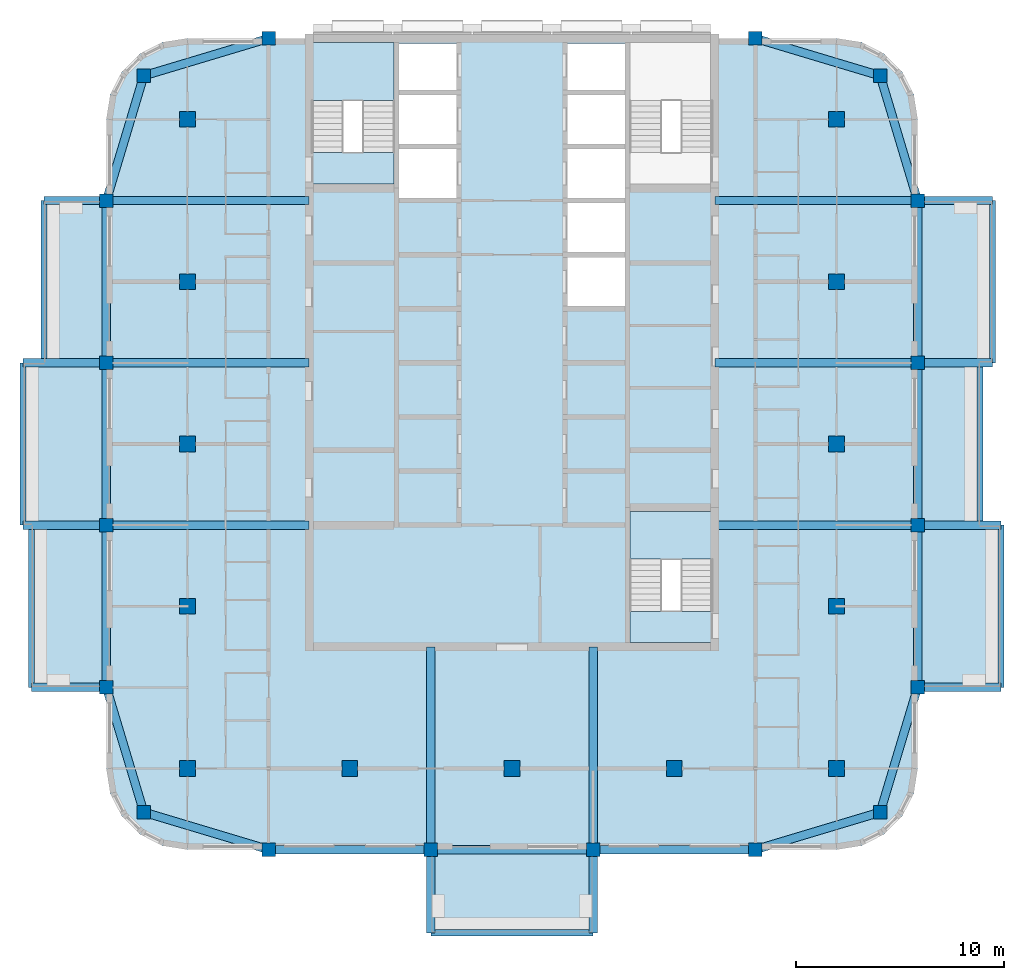
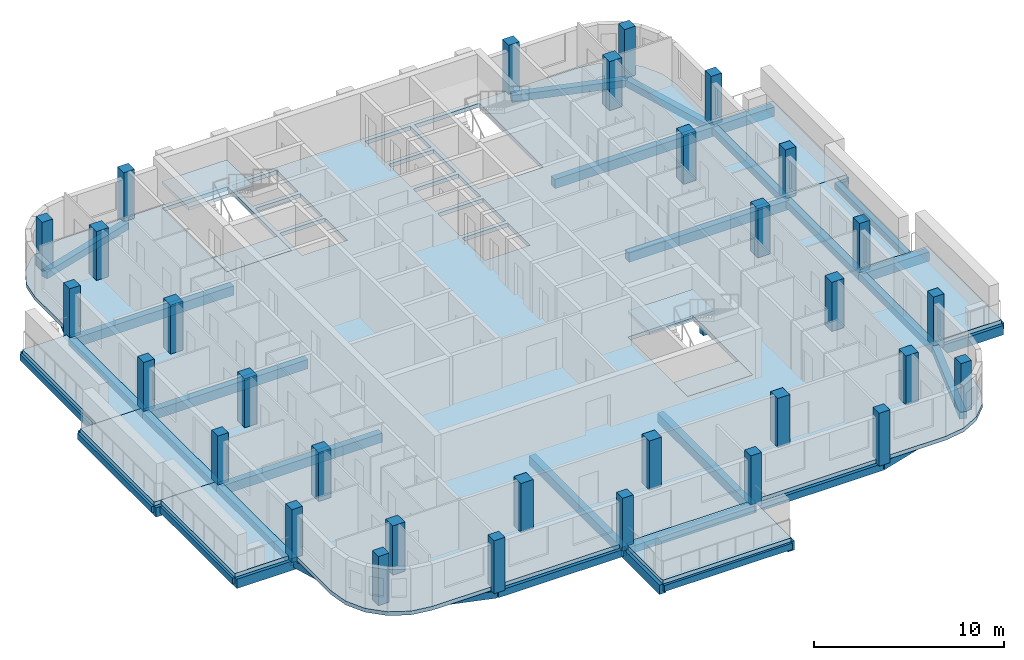
# One storey, part 1 of 13: 42 beams, 31 columns, 12 slabs, 2 elements without a shape of their own.
"""IFC4 building model written with IfcOpenShell, lengths in metres."""

from ifc_helpers import new_model, si_unit, direction, frame, origin, origin_2d, place, context, subcontext, project, spatial, polyline, rectangle, outline, extrude, material, layer, layer_set, material_profile, profile_set, type_object, element, aggregate, save


model = new_model("IFC4")

# Units and contexts
model_context = context("Model", 3, precision=1e-05, world=origin(), true_north=direction((0.0, 1.0)))
body_context = subcontext(model_context, "Body", "Model", "MODEL_VIEW")
ifc_project = project(units=[si_unit("LENGTHUNIT", "METRE"), si_unit("AREAUNIT", "SQUARE_METRE"), si_unit("VOLUMEUNIT", "CUBIC_METRE"), si_unit("PLANEANGLEUNIT", "RADIAN"), si_unit("MASSUNIT", "GRAM", prefix="KILO")], contexts=[model_context])

# Site, building, storey
site_placement = place(None, origin())
site = spatial("IfcSite", under=ifc_project, at=site_placement, CompositionType="ELEMENT")
building_placement = place(site_placement, origin())
building = spatial("IfcBuilding", under=site, at=building_placement, Name="Ludao Terraces", CompositionType="ELEMENT")
storey_placement = place(building_placement, frame((0.0, 0.0, 249.39990234375)))
storey = spatial("IfcBuildingStorey", under=building, at=storey_placement, Name="L68", CompositionType="ELEMENT", Elevation=249.39990234375)

# Columns
ifc_material = material(Name="Concrete C40", Category="concrete")
ifc_material_profile_1 = material_profile(ifc_material, rectangle(XDim=0.64990234375, YDim=0.64990234375, at=origin_2d()), Name="650 X 650")
ifc_profile_set_1 = profile_set([ifc_material_profile_1], Name="Concrete C40")
column_type_1 = type_object("IfcColumnType", Name="RC column 650x650 C40", PredefinedType="COLUMN", material=ifc_profile_set_1)
for number, where, z_axis, x_axis, name in (
    (1, (67.300048828125, 47.300048828125, -0.25), (0.0, 0.0, 1.0), (1.0, 0.0, 0.0), "Column L68 C0057x0057"),
    (2, (102.699951171875, 47.300048828125, -0.25), (0.0, 0.0, 1.0), (1.0, 0.0, 0.0), "Column L68 C0411x0057"),
    (3, (67.300048828125, 82.699951171875, -0.25), (0.0, 0.0, 1.0), (1.0, 0.0, 0.0), "Column L68 C0057x0411"),
    (4, (102.699951171875, 82.699951171875, -0.25), (0.0, 0.0, 1.0), (1.0, 0.0, 0.0), "Column L68 C0411x0411"),
    (5, (65.5, 53.300048828125, -0.25), (0.0, 0.0, 1.0), (1.0, 0.0, 0.0), "Column L68 W0039x0117"),
    (6, (104.5, 53.300048828125, -0.25), (0.0, 0.0, 1.0), (1.0, 0.0, 0.0), "Column L68 W0429x0117"),
    (7, (73.300048828125, 45.5, -0.25), (0.0, 0.0, 1.0), (1.0, 0.0, 0.0), "Column L68 W0117x0039"),
    (8, (73.300048828125, 84.5, -0.25), (0.0, 0.0, 1.0), (1.0, 0.0, 0.0), "Column L68 W0117x0429"),
    (9, (65.5, 61.10009765625, -0.25), (0.0, 0.0, 1.0), (1.0, 0.0, 0.0), "Column L68 W0039x0195"),
    (10, (104.5, 61.10009765625, -0.25), (0.0, 0.0, 1.0), (1.0, 0.0, 0.0), "Column L68 W0429x0195"),
    (11, (81.10009765625, 45.5, -0.25), (0.0, 0.0, 1.0), (1.0, 0.0, 0.0), "Column L68 W0195x0039"),
    (12, (65.5, 68.89990234375, -0.25), (0.0, 0.0, 1.0), (1.0, 0.0, 0.0), "Column L68 W0039x0273"),
    (13, (104.5, 68.89990234375, -0.25), (0.0, 0.0, 1.0), (1.0, 0.0, 0.0), "Column L68 W0429x0273"),
    (14, (88.89990234375, 45.5, -0.25), (0.0, 0.0, 1.0), (1.0, 0.0, 0.0), "Column L68 W0273x0039"),
    (15, (65.5, 76.699951171875, -0.25), (0.0, 0.0, 1.0), (1.0, 0.0, 0.0), "Column L68 W0039x0351"),
    (16, (104.5, 76.699951171875, -0.25), (0.0, 0.0, 1.0), (1.0, 0.0, 0.0), "Column L68 W0429x0351"),
    (17, (96.699951171875, 45.5, -0.25), (0.0, 0.0, 1.0), (1.0, 0.0, 0.0), "Column L68 W0351x0039"),
    (18, (96.699951171875, 84.5, -0.25), (0.0, 0.0, 1.0), (1.0, 0.0, 0.0), "Column L68 W0351x0429"),
):
    element("IfcColumn", number, at=place(storey_placement, frame(where, z_axis=z_axis, x_axis=x_axis)), inside=storey, type_object=column_type_1, Name=name, PredefinedType="COLUMN", context=body_context, shape_type="SweptSolid", body=[
        extrude(rectangle(XDim=0.64990234375, YDim=0.64990234375, at=origin_2d()), origin(), (0.0, 0.0, 1.0), 3.400146484375),
    ])
ifc_material_profile_2 = material_profile(ifc_material, rectangle(XDim=0.75, YDim=0.75, at=origin_2d()), Name="750 X 750")
ifc_profile_set_2 = profile_set([ifc_material_profile_2], Name="Concrete C40")
column_type_2 = type_object("IfcColumnType", Name="RC column 750x750 C40", PredefinedType="COLUMN", material=ifc_profile_set_2)
for number, where, z_axis, x_axis, name in (
    (19, (69.39990234375, 49.39990234375, -0.25), (0.0, 0.0, 1.0), (1.0, 0.0, 0.0), "Column L68 S0078x0078"),
    (20, (69.39990234375, 57.199951171875, -0.25), (0.0, 0.0, 1.0), (1.0, 0.0, 0.0), "Column L68 S0078x0156"),
    (21, (69.39990234375, 65.0, -0.25), (0.0, 0.0, 1.0), (1.0, 0.0, 0.0), "Column L68 S0078x0234"),
    (22, (69.39990234375, 72.800048828125, -0.25), (0.0, 0.0, 1.0), (1.0, 0.0, 0.0), "Column L68 S0078x0312"),
    (23, (69.39990234375, 80.60009765625, -0.25), (0.0, 0.0, 1.0), (1.0, 0.0, 0.0), "Column L68 S0078x0390"),
    (24, (77.199951171875, 49.39990234375, -0.25), (0.0, 0.0, 1.0), (1.0, 0.0, 0.0), "Column L68 S0156x0078"),
    (25, (85.0, 49.39990234375, -0.25), (0.0, 0.0, 1.0), (1.0, 0.0, 0.0), "Column L68 S0234x0078"),
    (26, (92.800048828125, 49.39990234375, -0.25), (0.0, 0.0, 1.0), (1.0, 0.0, 0.0), "Column L68 S0312x0078"),
    (27, (100.60009765625, 49.39990234375, -0.25), (0.0, 0.0, 1.0), (1.0, 0.0, 0.0), "Column L68 S0390x0078"),
    (28, (100.60009765625, 57.199951171875, -0.25), (0.0, 0.0, 1.0), (1.0, 0.0, 0.0), "Column L68 S0390x0156"),
    (29, (100.60009765625, 65.0, -0.25), (0.0, 0.0, 1.0), (1.0, 0.0, 0.0), "Column L68 S0390x0234"),
    (30, (100.60009765625, 72.800048828125, -0.25), (0.0, 0.0, 1.0), (1.0, 0.0, 0.0), "Column L68 S0390x0312"),
    (31, (100.60009765625, 80.60009765625, -0.25), (0.0, 0.0, 1.0), (1.0, 0.0, 0.0), "Column L68 S0390x0390"),
):
    element("IfcColumn", number, at=place(storey_placement, frame(where, z_axis=z_axis, x_axis=x_axis)), inside=storey, type_object=column_type_2, Name=name, PredefinedType="COLUMN", context=body_context, shape_type="SweptSolid", body=[
        extrude(rectangle(XDim=0.75, YDim=0.75, at=origin_2d()), origin(), (0.0, 0.0, 1.0), 3.400146484375),
    ])

# Beams
ifc_material_profile_3 = material_profile(ifc_material, rectangle(XDim=0.300048828125, YDim=0.39990234375, at=origin_2d()), Name="300 X 400")
ifc_profile_set_3 = profile_set([ifc_material_profile_3], Name="Concrete C40")
beam_type_1 = type_object("IfcBeamType", Name="RC beam 300x400 C40", PredefinedType="BEAM", material=ifc_profile_set_3)
beam_1_placement = place(storey_placement, frame((81.10009765625, 41.5, -0.449951171875), z_axis=(1.0, 0.0, 0.0), x_axis=(0.0, 1.0, 0.0)))
element("IfcBeam", 32, at=beam_1_placement, inside=storey, type_object=beam_type_1, Name="Balcony edge beam L68 S1", PredefinedType="BEAM", context=body_context, shape_type="SweptSolid", body=[
    extrude(rectangle(XDim=0.300048828125, YDim=0.39990234375, at=origin_2d()), origin(), (0.0, 0.0, 1.0), 7.7998046875),
])
beam_2_placement = place(storey_placement, frame((108.5, 53.300048828125, -0.449951171875), z_axis=(0.0, 1.0, 0.0), x_axis=(-1.0, 0.0, 0.0)))
element("IfcBeam", 33, at=beam_2_placement, inside=storey, type_object=beam_type_1, Name="Balcony edge beam L68 E1", PredefinedType="BEAM", context=body_context, shape_type="SweptSolid", body=[
    extrude(rectangle(XDim=0.300048828125, YDim=0.39990234375, at=origin_2d()), origin(), (0.0, 0.0, 1.0), 7.800048828125),
])
beam_3_placement = place(storey_placement, frame((107.5, 61.10009765625, -0.449951171875), z_axis=(0.0, 1.0, 0.0), x_axis=(-1.0, 0.0, 0.0)))
element("IfcBeam", 34, at=beam_3_placement, inside=storey, type_object=beam_type_1, Name="Balcony edge beam L68 E2", PredefinedType="BEAM", context=body_context, shape_type="SweptSolid", body=[
    extrude(rectangle(XDim=0.300048828125, YDim=0.39990234375, at=origin_2d()), origin(), (0.0, 0.0, 1.0), 7.7998046875),
])
for number, where, z_axis, x_axis, name in (
    (35, (108.10009765625, 68.89990234375, -0.449951171875), (0.0, 1.0, 0.0), (-1.0, 0.0, 0.0), "Balcony edge beam L68 E3"),
    (36, (61.89990234375, 53.300048828125, -0.449951171875), (0.0, 1.0, 0.0), (-1.0, 0.0, 0.0), "Balcony edge beam L68 W1"),
):
    element("IfcBeam", number, at=place(storey_placement, frame(where, z_axis=z_axis, x_axis=x_axis)), inside=storey, type_object=beam_type_1, Name=name, PredefinedType="BEAM", context=body_context, shape_type="SweptSolid", body=[
        extrude(rectangle(XDim=0.300048828125, YDim=0.39990234375, at=origin_2d()), origin(), (0.0, 0.0, 1.0), 7.800048828125),
    ])
beam_4_placement = place(storey_placement, frame((61.5, 61.10009765625, -0.449951171875), z_axis=(0.0, 1.0, 0.0), x_axis=(-1.0, 0.0, 0.0)))
element("IfcBeam", 37, at=beam_4_placement, inside=storey, type_object=beam_type_1, Name="Balcony edge beam L68 W2", PredefinedType="BEAM", context=body_context, shape_type="SweptSolid", body=[
    extrude(rectangle(XDim=0.300048828125, YDim=0.39990234375, at=origin_2d()), origin(), (0.0, 0.0, 1.0), 7.7998046875),
])
beam_5_placement = place(storey_placement, frame((62.5, 68.89990234375, -0.449951171875), z_axis=(0.0, 1.0, 0.0), x_axis=(-1.0, 0.0, 0.0)))
element("IfcBeam", 38, at=beam_5_placement, inside=storey, type_object=beam_type_1, Name="Balcony edge beam L68 W3", PredefinedType="BEAM", context=body_context, shape_type="SweptSolid", body=[
    extrude(rectangle(XDim=0.300048828125, YDim=0.39990234375, at=origin_2d()), origin(), (0.0, 0.0, 1.0), 7.800048828125),
])
ifc_material_profile_4 = material_profile(ifc_material, rectangle(XDim=0.39990234375, YDim=0.449951171875, at=origin_2d()), Name="400 X 450")
ifc_profile_set_4 = profile_set([ifc_material_profile_4], Name="Concrete C40")
beam_type_2 = type_object("IfcBeamType", Name="RC beam 400x450 C40", PredefinedType="BEAM", material=ifc_profile_set_4)
beam_6_placement = place(storey_placement, frame((67.300048828125, 47.300048828125, -0.474853515625), z_axis=(0.957824139839, -0.287355036744, 0.0), x_axis=(0.287355036744, 0.957824139839, 0.0)))
element("IfcBeam", 39, at=beam_6_placement, inside=storey, type_object=beam_type_2, Name="Spandrel beam L68 S1", PredefinedType="BEAM", context=body_context, shape_type="SweptSolid", body=[
    extrude(rectangle(XDim=0.39990234375, YDim=0.449951171875, at=origin_2d()), origin(), (0.0, 0.0, 1.0), 6.26416015625),
])
beam_7_placement = place(storey_placement, frame((73.300048828125, 45.5, -0.474853515625), z_axis=(1.0, 0.0, 0.0), x_axis=(0.0, 1.0, 0.0)))
element("IfcBeam", 40, at=beam_7_placement, inside=storey, type_object=beam_type_2, Name="Spandrel beam L68 S2", PredefinedType="BEAM", context=body_context, shape_type="SweptSolid", body=[
    extrude(rectangle(XDim=0.39990234375, YDim=0.449951171875, at=origin_2d()), origin(), (0.0, 0.0, 1.0), 7.800048828125),
])
beam_8_placement = place(storey_placement, frame((81.10009765625, 45.5, -0.474853515625), z_axis=(1.0, 0.0, 0.0), x_axis=(0.0, 1.0, 0.0)))
element("IfcBeam", 41, at=beam_8_placement, inside=storey, type_object=beam_type_2, Name="Spandrel beam L68 S3", PredefinedType="BEAM", context=body_context, shape_type="SweptSolid", body=[
    extrude(rectangle(XDim=0.39990234375, YDim=0.449951171875, at=origin_2d()), origin(), (0.0, 0.0, 1.0), 7.7998046875),
])
beam_9_placement = place(storey_placement, frame((88.89990234375, 45.5, -0.474853515625), z_axis=(1.0, 0.0, 0.0), x_axis=(0.0, 1.0, 0.0)))
element("IfcBeam", 42, at=beam_9_placement, inside=storey, type_object=beam_type_2, Name="Spandrel beam L68 S4", PredefinedType="BEAM", context=body_context, shape_type="SweptSolid", body=[
    extrude(rectangle(XDim=0.39990234375, YDim=0.449951171875, at=origin_2d()), origin(), (0.0, 0.0, 1.0), 7.800048828125),
])
for number, where, z_axis, x_axis, name in (
    (43, (96.699951171875, 45.5, -0.474853515625), (0.957824139839, 0.287355036744, 0.0), (-0.287355036744, 0.957824139839, 0.0), "Spandrel beam L68 S5"),
    (44, (67.300048828125, 82.699951171875, -0.474853515625), (0.957824139839, 0.287355036744, 0.0), (-0.287355036744, 0.957824139839, 0.0), "Spandrel beam L68 N6"),
    (45, (96.699951171875, 84.5, -0.474853515625), (0.957824139839, -0.287355036744, 0.0), (0.287355036744, 0.957824139839, 0.0), "Spandrel beam L68 N7"),
    (46, (67.300048828125, 47.300048828125, -0.474853515625), (-0.287355036744, 0.957824139839, 0.0), (-0.957824139839, -0.287355036744, 0.0), "Spandrel beam L68 W8"),
):
    element("IfcBeam", number, at=place(storey_placement, frame(where, z_axis=z_axis, x_axis=x_axis)), inside=storey, type_object=beam_type_2, Name=name, PredefinedType="BEAM", context=body_context, shape_type="SweptSolid", body=[
        extrude(rectangle(XDim=0.39990234375, YDim=0.449951171875, at=origin_2d()), origin(), (0.0, 0.0, 1.0), 6.26416015625),
    ])
beam_10_placement = place(storey_placement, frame((65.5, 53.300048828125, -0.474853515625), z_axis=(0.0, 1.0, 0.0), x_axis=(-1.0, 0.0, 0.0)))
element("IfcBeam", 47, at=beam_10_placement, inside=storey, type_object=beam_type_2, Name="Spandrel beam L68 W9", PredefinedType="BEAM", context=body_context, shape_type="SweptSolid", body=[
    extrude(rectangle(XDim=0.39990234375, YDim=0.449951171875, at=origin_2d()), origin(), (0.0, 0.0, 1.0), 7.800048828125),
])
beam_11_placement = place(storey_placement, frame((65.5, 61.10009765625, -0.474853515625), z_axis=(0.0, 1.0, 0.0), x_axis=(-1.0, 0.0, 0.0)))
element("IfcBeam", 48, at=beam_11_placement, inside=storey, type_object=beam_type_2, Name="Spandrel beam L68 W10", PredefinedType="BEAM", context=body_context, shape_type="SweptSolid", body=[
    extrude(rectangle(XDim=0.39990234375, YDim=0.449951171875, at=origin_2d()), origin(), (0.0, 0.0, 1.0), 7.7998046875),
])
beam_12_placement = place(storey_placement, frame((65.5, 68.89990234375, -0.474853515625), z_axis=(0.0, 1.0, 0.0), x_axis=(-1.0, 0.0, 0.0)))
element("IfcBeam", 49, at=beam_12_placement, inside=storey, type_object=beam_type_2, Name="Spandrel beam L68 W11", PredefinedType="BEAM", context=body_context, shape_type="SweptSolid", body=[
    extrude(rectangle(XDim=0.39990234375, YDim=0.449951171875, at=origin_2d()), origin(), (0.0, 0.0, 1.0), 7.800048828125),
])
for number, where, z_axis, x_axis, name in (
    (50, (65.5, 76.699951171875, -0.474853515625), (0.287355036744, 0.957824139839, 0.0), (-0.957824139839, 0.287355036744, 0.0), "Spandrel beam L68 W12"),
    (51, (102.699951171875, 47.300048828125, -0.474853515625), (0.287355036744, 0.957824139839, 0.0), (-0.957824139839, 0.287355036744, 0.0), "Spandrel beam L68 E13"),
):
    element("IfcBeam", number, at=place(storey_placement, frame(where, z_axis=z_axis, x_axis=x_axis)), inside=storey, type_object=beam_type_2, Name=name, PredefinedType="BEAM", context=body_context, shape_type="SweptSolid", body=[
        extrude(rectangle(XDim=0.39990234375, YDim=0.449951171875, at=origin_2d()), origin(), (0.0, 0.0, 1.0), 6.26416015625),
    ])
beam_13_placement = place(storey_placement, frame((104.5, 53.300048828125, -0.474853515625), z_axis=(0.0, 1.0, 0.0), x_axis=(-1.0, 0.0, 0.0)))
element("IfcBeam", 52, at=beam_13_placement, inside=storey, type_object=beam_type_2, Name="Spandrel beam L68 E14", PredefinedType="BEAM", context=body_context, shape_type="SweptSolid", body=[
    extrude(rectangle(XDim=0.39990234375, YDim=0.449951171875, at=origin_2d()), origin(), (0.0, 0.0, 1.0), 7.800048828125),
])
beam_14_placement = place(storey_placement, frame((104.5, 61.10009765625, -0.474853515625), z_axis=(0.0, 1.0, 0.0), x_axis=(-1.0, 0.0, 0.0)))
element("IfcBeam", 53, at=beam_14_placement, inside=storey, type_object=beam_type_2, Name="Spandrel beam L68 E15", PredefinedType="BEAM", context=body_context, shape_type="SweptSolid", body=[
    extrude(rectangle(XDim=0.39990234375, YDim=0.449951171875, at=origin_2d()), origin(), (0.0, 0.0, 1.0), 7.7998046875),
])
beam_15_placement = place(storey_placement, frame((104.5, 68.89990234375, -0.474853515625), z_axis=(0.0, 1.0, 0.0), x_axis=(-1.0, 0.0, 0.0)))
element("IfcBeam", 54, at=beam_15_placement, inside=storey, type_object=beam_type_2, Name="Spandrel beam L68 E16", PredefinedType="BEAM", context=body_context, shape_type="SweptSolid", body=[
    extrude(rectangle(XDim=0.39990234375, YDim=0.449951171875, at=origin_2d()), origin(), (0.0, 0.0, 1.0), 7.800048828125),
])
beam_16_placement = place(storey_placement, frame((104.5, 76.699951171875, -0.474853515625), z_axis=(-0.287355036744, 0.957824139839, 0.0), x_axis=(-0.957824139839, -0.287355036744, 0.0)))
element("IfcBeam", 55, at=beam_16_placement, inside=storey, type_object=beam_type_2, Name="Spandrel beam L68 E17", PredefinedType="BEAM", context=body_context, shape_type="SweptSolid", body=[
    extrude(rectangle(XDim=0.39990234375, YDim=0.449951171875, at=origin_2d()), origin(), (0.0, 0.0, 1.0), 6.26416015625),
])
ifc_material_profile_5 = material_profile(ifc_material, rectangle(XDim=0.39990234375, YDim=0.60009765625, at=origin_2d()), Name="400 X 600")
ifc_profile_set_5 = profile_set([ifc_material_profile_5], Name="Concrete C40")
beam_type_3 = type_object("IfcBeamType", Name="RC beam 400x600 C40", PredefinedType="BEAM", material=ifc_profile_set_5)
beam_17_placement = place(storey_placement, frame((104.5, 53.300048828125, -0.5498046875), z_axis=(1.0, 0.0, 0.0), x_axis=(0.0, 1.0, 0.0)))
element("IfcBeam", 56, at=beam_17_placement, inside=storey, type_object=beam_type_3, Name="Balcony beam L68 E533", PredefinedType="BEAM", context=body_context, shape_type="SweptSolid", body=[
    extrude(rectangle(XDim=0.39990234375, YDim=0.60009765625, at=origin_2d()), origin(), (0.0, 0.0, 1.0), 4.0),
])
beam_18_placement = place(storey_placement, frame((94.75, 61.10009765625, -0.5498046875), z_axis=(1.0, 0.0, 0.0), x_axis=(0.0, 1.0, 0.0)))
element("IfcBeam", 57, at=beam_18_placement, inside=storey, type_object=beam_type_3, Name="Balcony beam L68 E611", PredefinedType="BEAM", context=body_context, shape_type="SweptSolid", body=[
    extrude(rectangle(XDim=0.39990234375, YDim=0.60009765625, at=origin_2d()), origin(), (0.0, 0.0, 1.0), 9.75),
])
beam_19_placement = place(storey_placement, frame((104.5, 61.10009765625, -0.5498046875), z_axis=(1.0, 0.0, 0.0), x_axis=(0.0, 1.0, 0.0)))
element("IfcBeam", 58, at=beam_19_placement, inside=storey, type_object=beam_type_3, Name="Balcony beam L68 E611", PredefinedType="BEAM", context=body_context, shape_type="SweptSolid", body=[
    extrude(rectangle(XDim=0.39990234375, YDim=0.60009765625, at=origin_2d()), origin(), (0.0, 0.0, 1.0), 4.0),
])
beam_20_placement = place(storey_placement, frame((94.75, 68.89990234375, -0.5498046875), z_axis=(1.0, 0.0, 0.0), x_axis=(0.0, 1.0, 0.0)))
element("IfcBeam", 59, at=beam_20_placement, inside=storey, type_object=beam_type_3, Name="Balcony beam L68 E689", PredefinedType="BEAM", context=body_context, shape_type="SweptSolid", body=[
    extrude(rectangle(XDim=0.39990234375, YDim=0.60009765625, at=origin_2d()), origin(), (0.0, 0.0, 1.0), 9.75),
])
beam_21_placement = place(storey_placement, frame((104.5, 68.89990234375, -0.5498046875), z_axis=(1.0, 0.0, 0.0), x_axis=(0.0, 1.0, 0.0)))
element("IfcBeam", 60, at=beam_21_placement, inside=storey, type_object=beam_type_3, Name="Balcony beam L68 E689", PredefinedType="BEAM", context=body_context, shape_type="SweptSolid", body=[
    extrude(rectangle(XDim=0.39990234375, YDim=0.60009765625, at=origin_2d()), origin(), (0.0, 0.0, 1.0), 3.60009765625),
])
beam_22_placement = place(storey_placement, frame((94.75, 76.699951171875, -0.5498046875), z_axis=(1.0, 0.0, 0.0), x_axis=(0.0, 1.0, 0.0)))
element("IfcBeam", 61, at=beam_22_placement, inside=storey, type_object=beam_type_3, Name="Balcony beam L68 E767", PredefinedType="BEAM", context=body_context, shape_type="SweptSolid", body=[
    extrude(rectangle(XDim=0.39990234375, YDim=0.60009765625, at=origin_2d()), origin(), (0.0, 0.0, 1.0), 9.75),
])
beam_23_placement = place(storey_placement, frame((104.5, 76.699951171875, -0.5498046875), z_axis=(1.0, 0.0, 0.0), x_axis=(0.0, 1.0, 0.0)))
element("IfcBeam", 62, at=beam_23_placement, inside=storey, type_object=beam_type_3, Name="Balcony beam L68 E767", PredefinedType="BEAM", context=body_context, shape_type="SweptSolid", body=[
    extrude(rectangle(XDim=0.39990234375, YDim=0.60009765625, at=origin_2d()), origin(), (0.0, 0.0, 1.0), 3.60009765625),
])
beam_24_placement = place(storey_placement, frame((81.10009765625, 55.25, -0.5498046875), z_axis=(0.0, -1.0, 0.0), x_axis=(1.0, 0.0, 0.0)))
element("IfcBeam", 63, at=beam_24_placement, inside=storey, type_object=beam_type_3, Name="Balcony beam L68 S811", PredefinedType="BEAM", context=body_context, shape_type="SweptSolid", body=[
    extrude(rectangle(XDim=0.39990234375, YDim=0.60009765625, at=origin_2d()), origin(), (0.0, 0.0, 1.0), 9.75),
])
beam_25_placement = place(storey_placement, frame((81.10009765625, 45.5, -0.5498046875), z_axis=(0.0, -1.0, 0.0), x_axis=(1.0, 0.0, 0.0)))
element("IfcBeam", 64, at=beam_25_placement, inside=storey, type_object=beam_type_3, Name="Balcony beam L68 S811", PredefinedType="BEAM", context=body_context, shape_type="SweptSolid", body=[
    extrude(rectangle(XDim=0.39990234375, YDim=0.60009765625, at=origin_2d()), origin(), (0.0, 0.0, 1.0), 4.0),
])
beam_26_placement = place(storey_placement, frame((88.89990234375, 55.25, -0.5498046875), z_axis=(0.0, -1.0, 0.0), x_axis=(1.0, 0.0, 0.0)))
element("IfcBeam", 65, at=beam_26_placement, inside=storey, type_object=beam_type_3, Name="Balcony beam L68 S889", PredefinedType="BEAM", context=body_context, shape_type="SweptSolid", body=[
    extrude(rectangle(XDim=0.39990234375, YDim=0.60009765625, at=origin_2d()), origin(), (0.0, 0.0, 1.0), 9.75),
])
beam_27_placement = place(storey_placement, frame((88.89990234375, 45.5, -0.5498046875), z_axis=(0.0, -1.0, 0.0), x_axis=(1.0, 0.0, 0.0)))
element("IfcBeam", 66, at=beam_27_placement, inside=storey, type_object=beam_type_3, Name="Balcony beam L68 S889", PredefinedType="BEAM", context=body_context, shape_type="SweptSolid", body=[
    extrude(rectangle(XDim=0.39990234375, YDim=0.60009765625, at=origin_2d()), origin(), (0.0, 0.0, 1.0), 4.0),
])
beam_28_placement = place(storey_placement, frame((65.5, 53.300048828125, -0.5498046875), z_axis=(-1.0, 0.0, 0.0), x_axis=(0.0, -1.0, 0.0)))
element("IfcBeam", 67, at=beam_28_placement, inside=storey, type_object=beam_type_3, Name="Balcony beam L68 W533", PredefinedType="BEAM", context=body_context, shape_type="SweptSolid", body=[
    extrude(rectangle(XDim=0.39990234375, YDim=0.60009765625, at=origin_2d()), origin(), (0.0, 0.0, 1.0), 3.60009765625),
])
beam_29_placement = place(storey_placement, frame((75.25, 61.10009765625, -0.5498046875), z_axis=(-1.0, 0.0, 0.0), x_axis=(0.0, -1.0, 0.0)))
element("IfcBeam", 68, at=beam_29_placement, inside=storey, type_object=beam_type_3, Name="Balcony beam L68 W611", PredefinedType="BEAM", context=body_context, shape_type="SweptSolid", body=[
    extrude(rectangle(XDim=0.39990234375, YDim=0.60009765625, at=origin_2d()), origin(), (0.0, 0.0, 1.0), 9.75),
])
beam_30_placement = place(storey_placement, frame((65.5, 61.10009765625, -0.5498046875), z_axis=(-1.0, 0.0, 0.0), x_axis=(0.0, -1.0, 0.0)))
element("IfcBeam", 69, at=beam_30_placement, inside=storey, type_object=beam_type_3, Name="Balcony beam L68 W611", PredefinedType="BEAM", context=body_context, shape_type="SweptSolid", body=[
    extrude(rectangle(XDim=0.39990234375, YDim=0.60009765625, at=origin_2d()), origin(), (0.0, 0.0, 1.0), 4.0),
])
beam_31_placement = place(storey_placement, frame((75.25, 68.89990234375, -0.5498046875), z_axis=(-1.0, 0.0, 0.0), x_axis=(0.0, -1.0, 0.0)))
element("IfcBeam", 70, at=beam_31_placement, inside=storey, type_object=beam_type_3, Name="Balcony beam L68 W689", PredefinedType="BEAM", context=body_context, shape_type="SweptSolid", body=[
    extrude(rectangle(XDim=0.39990234375, YDim=0.60009765625, at=origin_2d()), origin(), (0.0, 0.0, 1.0), 9.75),
])
beam_32_placement = place(storey_placement, frame((65.5, 68.89990234375, -0.5498046875), z_axis=(-1.0, 0.0, 0.0), x_axis=(0.0, -1.0, 0.0)))
element("IfcBeam", 71, at=beam_32_placement, inside=storey, type_object=beam_type_3, Name="Balcony beam L68 W689", PredefinedType="BEAM", context=body_context, shape_type="SweptSolid", body=[
    extrude(rectangle(XDim=0.39990234375, YDim=0.60009765625, at=origin_2d()), origin(), (0.0, 0.0, 1.0), 4.0),
])
beam_33_placement = place(storey_placement, frame((75.25, 76.699951171875, -0.5498046875), z_axis=(-1.0, 0.0, 0.0), x_axis=(0.0, -1.0, 0.0)))
element("IfcBeam", 72, at=beam_33_placement, inside=storey, type_object=beam_type_3, Name="Balcony beam L68 W767", PredefinedType="BEAM", context=body_context, shape_type="SweptSolid", body=[
    extrude(rectangle(XDim=0.39990234375, YDim=0.60009765625, at=origin_2d()), origin(), (0.0, 0.0, 1.0), 9.75),
])
beam_34_placement = place(storey_placement, frame((65.5, 76.699951171875, -0.5498046875), z_axis=(-1.0, 0.0, 0.0), x_axis=(0.0, -1.0, 0.0)))
element("IfcBeam", 73, at=beam_34_placement, inside=storey, type_object=beam_type_3, Name="Balcony beam L68 W767", PredefinedType="BEAM", context=body_context, shape_type="SweptSolid", body=[
    extrude(rectangle(XDim=0.39990234375, YDim=0.60009765625, at=origin_2d()), origin(), (0.0, 0.0, 1.0), 3.0),
])

# Slabs
ifc_layer_1 = layer(ifc_material, 0.25)
ifc_layer_set_1 = layer_set([ifc_layer_1], Name="Balcony slab 250 C40")
slab_type_1 = type_object("IfcSlabType", Name="Balcony slab 250 C40", PredefinedType="USERDEFINED", material=ifc_layer_set_1)
slab_1_placement = place(storey_placement, frame((0.0, 0.0, -0.25)))
element("IfcSlab", 74, at=slab_1_placement, inside=storey, type_object=slab_type_1, Name="Balcony L68 S1", ObjectType="BALCONY", PredefinedType="USERDEFINED", context=body_context, shape_type="SweptSolid", body=[
    extrude(outline(polyline([(81.10009765625, 41.5), (88.89990234375, 41.5), (88.89990234375, 45.5), (81.10009765625, 45.5), (81.10009765625, 41.5)])), origin(), (0.0, 0.0, 1.0), 0.25),
])
slab_2_placement = place(storey_placement, frame((0.0, 0.0, -0.25)))
element("IfcSlab", 75, at=slab_2_placement, inside=storey, type_object=slab_type_1, Name="Balcony L68 E1", ObjectType="BALCONY", PredefinedType="USERDEFINED", context=body_context, shape_type="SweptSolid", body=[
    extrude(outline(polyline([(104.5, 53.300048828125), (108.5, 53.300048828125), (108.5, 61.10009765625), (104.5, 61.10009765625), (104.5, 53.300048828125)])), origin(), (0.0, 0.0, 1.0), 0.25),
])
slab_3_placement = place(storey_placement, frame((0.0, 0.0, -0.25)))
element("IfcSlab", 76, at=slab_3_placement, inside=storey, type_object=slab_type_1, Name="Balcony L68 E2", ObjectType="BALCONY", PredefinedType="USERDEFINED", context=body_context, shape_type="SweptSolid", body=[
    extrude(outline(polyline([(104.5, 61.10009765625), (107.5, 61.10009765625), (107.5, 68.89990234375), (104.5, 68.89990234375), (104.5, 61.10009765625)])), origin(), (0.0, 0.0, 1.0), 0.25),
])
slab_4_placement = place(storey_placement, frame((0.0, 0.0, -0.25)))
element("IfcSlab", 77, at=slab_4_placement, inside=storey, type_object=slab_type_1, Name="Balcony L68 E3", ObjectType="BALCONY", PredefinedType="USERDEFINED", context=body_context, shape_type="SweptSolid", body=[
    extrude(outline(polyline([(104.5, 68.89990234375), (108.10009765625, 68.89990234375), (108.10009765625, 76.699951171875), (104.5, 76.699951171875), (104.5, 68.89990234375)])), origin(), (0.0, 0.0, 1.0), 0.25),
])
slab_5_placement = place(storey_placement, frame((0.0, 0.0, -0.25)))
element("IfcSlab", 78, at=slab_5_placement, inside=storey, type_object=slab_type_1, Name="Balcony L68 W1", ObjectType="BALCONY", PredefinedType="USERDEFINED", context=body_context, shape_type="SweptSolid", body=[
    extrude(outline(polyline([(61.89990234375, 53.300048828125), (65.5, 53.300048828125), (65.5, 61.10009765625), (61.89990234375, 61.10009765625), (61.89990234375, 53.300048828125)])), origin(), (0.0, 0.0, 1.0), 0.25),
])
slab_6_placement = place(storey_placement, frame((0.0, 0.0, -0.25)))
element("IfcSlab", 79, at=slab_6_placement, inside=storey, type_object=slab_type_1, Name="Balcony L68 W2", ObjectType="BALCONY", PredefinedType="USERDEFINED", context=body_context, shape_type="SweptSolid", body=[
    extrude(outline(polyline([(61.5, 61.10009765625), (65.5, 61.10009765625), (65.5, 68.89990234375), (61.5, 68.89990234375), (61.5, 61.10009765625)])), origin(), (0.0, 0.0, 1.0), 0.25),
])
slab_7_placement = place(storey_placement, frame((0.0, 0.0, -0.25)))
element("IfcSlab", 80, at=slab_7_placement, inside=storey, type_object=slab_type_1, Name="Balcony L68 W3", ObjectType="BALCONY", PredefinedType="USERDEFINED", context=body_context, shape_type="SweptSolid", body=[
    extrude(outline(polyline([(62.5, 68.89990234375), (65.5, 68.89990234375), (65.5, 76.699951171875), (62.5, 76.699951171875), (62.5, 68.89990234375)])), origin(), (0.0, 0.0, 1.0), 0.25),
])
ifc_layer_2 = layer(ifc_material, 0.25)
ifc_layer_set_2 = layer_set([ifc_layer_2], Name="Floor slab 250 C40")
slab_type_2 = type_object("IfcSlabType", Name="Floor slab 250 C40", PredefinedType="FLOOR", material=ifc_layer_set_2)
slab_8_placement = place(storey_placement, frame((0.0, 0.0, -0.25)))
element("IfcSlab", 81, at=slab_8_placement, inside=storey, type_object=slab_type_2, Name="Slab L68", PredefinedType="FLOOR", context=body_context, shape_type="SweptSolid", body=[
    extrude(outline(polyline([(100.60009765625, 45.5), (101.80517578125, 45.69091796875), (102.892333984375, 46.244873046875), (103.755126953125, 47.107666015625), (104.30908203125, 48.19482421875), (104.5, 49.39990234375), (104.5, 80.60009765625), (104.30908203125, 81.80517578125), (103.755126953125, 82.892333984375), (102.892333984375, 83.755126953125), (101.80517578125, 84.30908203125), (100.60009765625, 84.5), (69.39990234375, 84.5), (68.19482421875, 84.30908203125), (67.107666015625, 83.755126953125), (66.244873046875, 82.892333984375), (65.69091796875, 81.80517578125), (65.5, 80.60009765625), (65.5, 49.39990234375), (65.69091796875, 48.19482421875), (66.244873046875, 47.107666015625), (67.107666015625, 46.244873046875), (68.19482421875, 45.69091796875), (69.39990234375, 45.5), (100.60009765625, 45.5)]), holes=[polyline([(79.574951171875, 76.824951171875), (82.324951171875, 76.824951171875), (82.324951171875, 79.175048828125), (79.574951171875, 79.175048828125), (79.574951171875, 76.824951171875)]), polyline([(79.574951171875, 79.425048828125), (82.324951171875, 79.425048828125), (82.324951171875, 81.77490234375), (79.574951171875, 81.77490234375), (79.574951171875, 79.425048828125)]), polyline([(79.574951171875, 82.02490234375), (82.324951171875, 82.02490234375), (82.324951171875, 84.239990234375), (79.574951171875, 84.239990234375), (79.574951171875, 82.02490234375)]), polyline([(87.675048828125, 71.625), (90.425048828125, 71.625), (90.425048828125, 73.97509765625), (87.675048828125, 73.97509765625), (87.675048828125, 71.625)]), polyline([(87.675048828125, 74.22509765625), (90.425048828125, 74.22509765625), (90.425048828125, 76.574951171875), (87.675048828125, 76.574951171875), (87.675048828125, 74.22509765625)]), polyline([(87.675048828125, 76.824951171875), (90.425048828125, 76.824951171875), (90.425048828125, 79.175048828125), (87.675048828125, 79.175048828125), (87.675048828125, 76.824951171875)]), polyline([(87.675048828125, 79.425048828125), (90.425048828125, 79.425048828125), (90.425048828125, 81.77490234375), (87.675048828125, 81.77490234375), (87.675048828125, 79.425048828125)]), polyline([(87.675048828125, 82.02490234375), (90.425048828125, 82.02490234375), (90.425048828125, 84.239990234375), (87.675048828125, 84.239990234375), (87.675048828125, 82.02490234375)]), polyline([(75.375, 77.5), (79.324951171875, 77.5), (79.324951171875, 84.239990234375), (75.375, 84.239990234375), (75.375, 77.5)]), polyline([(90.675048828125, 77.5), (94.625, 77.5), (94.625, 84.239990234375), (90.675048828125, 84.239990234375), (90.675048828125, 77.5)]), polyline([(90.675048828125, 55.449951171875), (94.625, 55.449951171875), (94.625, 61.75), (90.675048828125, 61.75), (90.675048828125, 55.449951171875)])]), origin(), (0.0, 0.0, 1.0), 0.25),
])

# Stair, slabs
stair_type = type_object("IfcStairType", Name="INT Stair", PredefinedType="HALF_TURN_STAIR", material=ifc_material)
stair_1_placement = place(storey_placement, origin())
stair_1 = element("IfcStair", 82, at=stair_1_placement, inside=storey, type_object=stair_type, Name="EXIT STAIR 1", PredefinedType="HALF_TURN_STAIR")
ifc_layer_3 = layer(ifc_material, 0.199951171875)
ifc_layer_set_3 = layer_set([ifc_layer_3], Name="INT Stair landing 200")
slab_type_3 = type_object("IfcSlabType", Name="INT Stair landing 200", PredefinedType="LANDING", material=ifc_layer_set_3)
slab_9_placement = place(storey_placement, frame((0.0, 0.0, 1.5)))
slab_9 = element("IfcSlab", 83, at=slab_9_placement, type_object=slab_type_3, Name="ST1 landing 1", PredefinedType="LANDING", context=body_context, shape_type="SweptSolid", body=[
    extrude(outline(polyline([(75.375, 81.52001953125), (79.324951171875, 81.52001953125), (79.324951171875, 84.300048828125), (75.375, 84.300048828125), (75.375, 81.52001953125)])), origin(), (0.0, 0.0, 1.0), 0.2001953125),
])
slab_10_placement = place(storey_placement, frame((0.0, 0.0, -0.199951171875)))
slab_10 = element("IfcSlab", 84, at=slab_10_placement, type_object=slab_type_3, Name="ST1 landing 2", PredefinedType="LANDING", context=body_context, shape_type="SweptSolid", body=[
    extrude(outline(polyline([(75.375, 77.5), (79.324951171875, 77.5), (79.324951171875, 79.0), (75.375, 79.0), (75.375, 77.5)])), origin(), (0.0, 0.0, 1.0), 0.199951171875),
])
aggregate(stair_1, [slab_9, slab_10])

stair_2_placement = place(storey_placement, origin())
stair_2 = element("IfcStair", 85, at=stair_2_placement, inside=storey, type_object=stair_type, Name="EXIT STAIR 3", PredefinedType="HALF_TURN_STAIR")
slab_11_placement = place(storey_placement, frame((0.0, 0.0, 1.5)))
slab_11 = element("IfcSlab", 86, at=slab_11_placement, type_object=slab_type_3, Name="ST3 landing 1", PredefinedType="LANDING", context=body_context, shape_type="SweptSolid", body=[
    extrude(outline(polyline([(90.675048828125, 59.469970703125), (94.625, 59.469970703125), (94.625, 61.75), (90.675048828125, 61.75), (90.675048828125, 59.469970703125)])), origin(), (0.0, 0.0, 1.0), 0.2001953125),
])
slab_12_placement = place(storey_placement, frame((0.0, 0.0, -0.199951171875)))
slab_12 = element("IfcSlab", 87, at=slab_12_placement, type_object=slab_type_3, Name="ST3 landing 2", PredefinedType="LANDING", context=body_context, shape_type="SweptSolid", body=[
    extrude(outline(polyline([(90.675048828125, 55.449951171875), (94.625, 55.449951171875), (94.625, 56.949951171875), (90.675048828125, 56.949951171875), (90.675048828125, 55.449951171875)])), origin(), (0.0, 0.0, 1.0), 0.199951171875),
])
aggregate(stair_2, [slab_11, slab_12])

save(model, "model.ifc")
